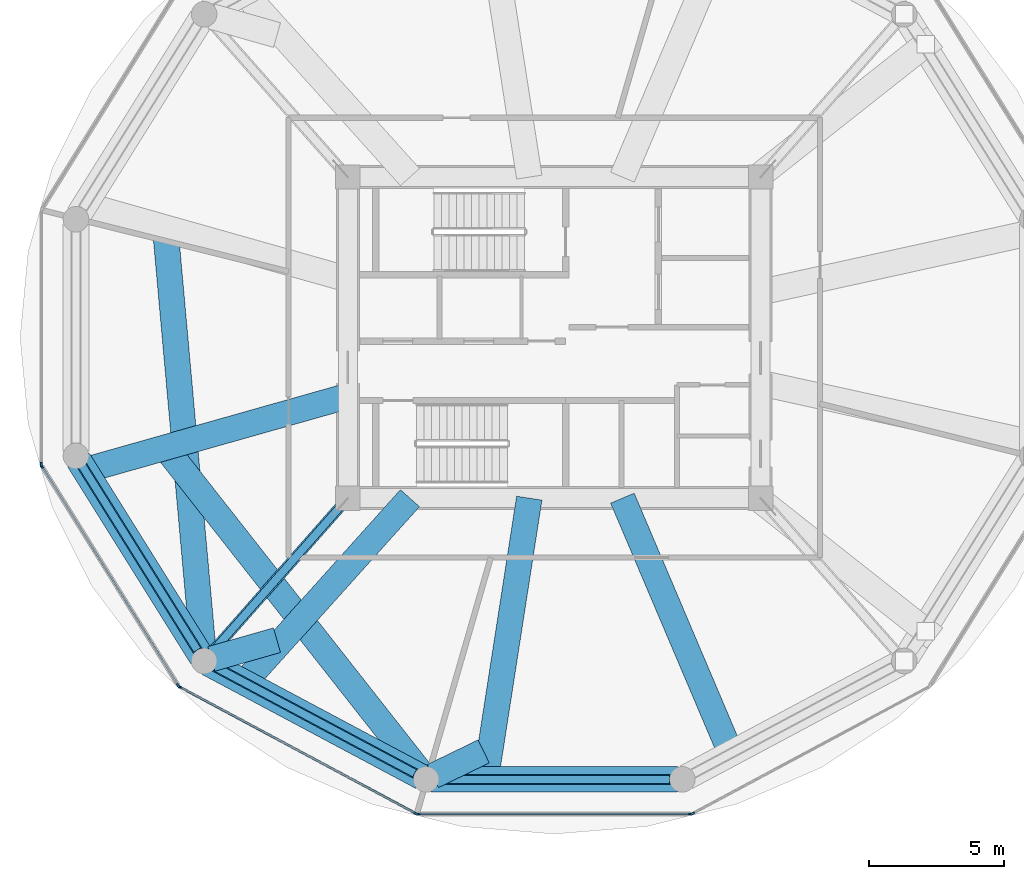
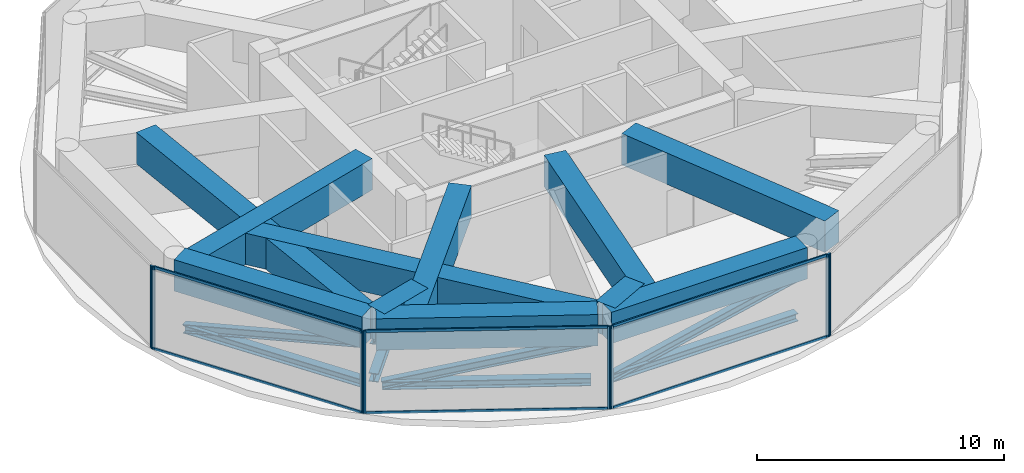
# One storey, part 2 of 22: 22 members, 11 beams, 5 elements without a shape of their own.
"""IFC4 building model written with IfcOpenShell, lengths in metres."""

from ifc_helpers import new_model, si_unit, direction, frame, origin, origin_2d, place, context, subcontext, project, spatial, rectangle, i_section, extrude, source, transform, mapped, material, layer, layer_set, material_profile, profile_set, type_object, type_shapes, element, aggregate, save


model = new_model("IFC4")

# Units and contexts
model_context = context("Model", 3, precision=1e-05, world=origin(), true_north=direction((0.0, 1.0)))
body_context = subcontext(model_context, "Body", "Model", "MODEL_VIEW")
ifc_project = project(units=[si_unit("LENGTHUNIT", "METRE"), si_unit("AREAUNIT", "SQUARE_METRE"), si_unit("VOLUMEUNIT", "CUBIC_METRE"), si_unit("PLANEANGLEUNIT", "RADIAN"), si_unit("MASSUNIT", "GRAM", prefix="KILO")], contexts=[model_context])

# Site, building, storey
site_placement = place(None, origin())
site = spatial("IfcSite", under=ifc_project, at=site_placement, CompositionType="ELEMENT")
building_placement = place(site_placement, origin())
building = spatial("IfcBuilding", under=site, at=building_placement, Name="Norrkilde Senior Care Towers", CompositionType="ELEMENT")
storey_placement = place(building_placement, frame((0.0, 0.0, 73.449951171875)))
storey = spatial("IfcBuildingStorey", under=building, at=storey_placement, Name="L22", CompositionType="ELEMENT", Elevation=73.449951171875)

# Beams
ifc_material_1 = material(Name="Concrete C60/75", Category="concrete")
ifc_material_profile_1 = material_profile(ifc_material_1, rectangle(XDim=0.949951171875, YDim=1.550048828125, at=origin_2d()), Name="RC TG 950x1550")
ifc_profile_set_1 = profile_set([ifc_material_profile_1], Name="Concrete C60/75")
beam_type = type_object("IfcBeamType", Name="Transfer Girder Zone Shift 950x1550", PredefinedType="USERDEFINED", material=ifc_profile_set_1)
shared_shape_1 = source(origin(), body_context, "Body", "SweptSolid", [
    extrude(rectangle(XDim=0.949951171875, YDim=1.550048828125, at=origin_2d()), origin(), (0.0, 0.0, 1.0), 8.6005859375),
])
beam_1_placement = place(storey_placement, frame((-45.62939453125, -4.53955078125, 3.304931640625), z_axis=(0.53002700696, -0.847980761511, 0.0), x_axis=(0.847980761511, 0.53002700696, 0.0)))
element("IfcBeam", 1, at=beam_1_placement, inside=storey, type_object=beam_type, Name="L22 Drum W Zone Ring Transfer Girder 07", ObjectType="GIRDER", PredefinedType="USERDEFINED", context=body_context, shape_type="MappedRepresentation", body=[
    mapped(shared_shape_1, transform((0.0, 0.0, 0.0), x_axis=(1.0, 0.0, 0.0), y_axis=(0.0, 1.0, 0.0), z_axis=(0.0, 0.0, 1.0), scale=1.0)),
])
shared_shape_2 = source(origin(), body_context, "Body", "SweptSolid", [
    extrude(rectangle(XDim=0.949951171875, YDim=1.550048828125, at=origin_2d()), origin(), (0.0, 0.0, 1.0), 8.962890625),
])
beam_2_placement = place(storey_placement, frame((-40.816650390625, -12.070068359375, 3.304931640625), z_axis=(0.882355957252, -0.470582580109, 0.0), x_axis=(0.470582580109, 0.882355957252, 0.0)))
element("IfcBeam", 2, at=beam_2_placement, inside=storey, type_object=beam_type, Name="L22 Drum W Zone Ring Transfer Girder 08", ObjectType="GIRDER", PredefinedType="USERDEFINED", context=body_context, shape_type="MappedRepresentation", body=[
    mapped(shared_shape_2, transform((0.0, 0.0, 0.0), x_axis=(1.0, 0.0, 0.0), y_axis=(0.0, 1.0, 0.0), z_axis=(0.0, 0.0, 1.0), scale=1.0)),
])
shared_shape_3 = source(origin(), body_context, "Body", "SweptSolid", [
    extrude(rectangle(XDim=0.949951171875, YDim=1.550048828125, at=origin_2d()), origin(), (0.0, 0.0, 1.0), 9.138671875),
])
beam_3_placement = place(storey_placement, frame((-32.5693359375, -16.37255859375, 3.304931640625), z_axis=(1.0, 0.0, 0.0), x_axis=(0.0, 1.0, 0.0)))
element("IfcBeam", 3, at=beam_3_placement, inside=storey, type_object=beam_type, Name="L22 Drum W Zone Ring Transfer Girder 09", ObjectType="GIRDER", PredefinedType="USERDEFINED", context=body_context, shape_type="MappedRepresentation", body=[
    mapped(shared_shape_3, transform((0.0, 0.0, 0.0), x_axis=(1.0, 0.0, 0.0), y_axis=(0.0, 1.0, 0.0), z_axis=(0.0, 0.0, 1.0), scale=1.0)),
])
shared_shape_4 = source(origin(), body_context, "Body", "SweptSolid", [
    extrude(rectangle(XDim=0.949951171875, YDim=1.550048828125, at=origin_2d()), origin(), (0.0, 0.0, 1.0), 10.281982421875),
])
beam_4_placement = place(storey_placement, frame((-25.472412109375, -5.949951171875, 3.304931640625), z_axis=(0.391002869326, -0.920389458968, 0.0), x_axis=(0.920389458968, 0.391002869326, 0.0)))
element("IfcBeam", 4, at=beam_4_placement, inside=storey, type_object=beam_type, Name="L22 Drum W Zone Transfer Girder 10", ObjectType="GIRDER", PredefinedType="USERDEFINED", context=body_context, shape_type="MappedRepresentation", body=[
    mapped(shared_shape_4, transform((0.0, 0.0, 0.0), x_axis=(1.0, 0.0, 0.0), y_axis=(0.0, 1.0, 0.0), z_axis=(0.0, 0.0, 1.0), scale=1.0)),
])
shared_shape_5 = source(origin(), body_context, "Body", "SweptSolid", [
    extrude(rectangle(XDim=0.949951171875, YDim=1.550048828125, at=origin_2d()), origin(), (0.0, 0.0, 1.0), 10.547607421875),
])
beam_5_placement = place(storey_placement, frame((-28.924072265625, -5.949951171875, 3.304931640625), z_axis=(-0.153485022833, -0.988150974176, 0.0), x_axis=(0.988150974176, -0.153485022833, 0.0)))
element("IfcBeam", 5, at=beam_5_placement, inside=storey, type_object=beam_type, Name="L22 Drum W Zone Transfer Girder 09", ObjectType="GIRDER", PredefinedType="USERDEFINED", context=body_context, shape_type="MappedRepresentation", body=[
    mapped(shared_shape_5, transform((0.0, 0.0, 0.0), x_axis=(1.0, 0.0, 0.0), y_axis=(0.0, 1.0, 0.0), z_axis=(0.0, 0.0, 1.0), scale=1.0)),
])
shared_shape_6 = source(origin(), body_context, "Body", "SweptSolid", [
    extrude(rectangle(XDim=0.949951171875, YDim=1.550048828125, at=origin_2d()), origin(), (0.0, 0.0, 1.0), 2.093017578125),
])
beam_6_placement = place(storey_placement, frame((-30.61474609375, -15.335693359375, 3.304931640625), z_axis=(-0.899546137145, -0.436825762916, 0.0), x_axis=(0.436825762916, -0.899546137145, 0.0)))
element("IfcBeam", 6, at=beam_6_placement, inside=storey, type_object=beam_type, Name="L22 Drum W Zone Star Transfer Tie 09", ObjectType="GIRDER", PredefinedType="USERDEFINED", context=body_context, shape_type="MappedRepresentation", body=[
    mapped(shared_shape_6, transform((0.0, 0.0, 0.0), x_axis=(1.0, 0.0, 0.0), y_axis=(0.0, 1.0, 0.0), z_axis=(0.0, 0.0, 1.0), scale=1.0)),
])
shared_shape_7 = source(origin(), body_context, "Body", "SweptSolid", [
    extrude(rectangle(XDim=0.949951171875, YDim=1.550048828125, at=origin_2d()), origin(), (0.0, 0.0, 1.0), 9.183349609375),
])
beam_7_placement = place(storey_placement, frame((-33.345947265625, -5.949951171875, 3.304931640625), z_axis=(-0.668319684115, -0.743874182792, 0.0), x_axis=(0.743874182792, -0.668319684115, 0.0)))
element("IfcBeam", 7, at=beam_7_placement, inside=storey, type_object=beam_type, Name="L22 Drum W Zone Transfer Girder 08", ObjectType="GIRDER", PredefinedType="USERDEFINED", context=body_context, shape_type="MappedRepresentation", body=[
    mapped(shared_shape_7, transform((0.0, 0.0, 0.0), x_axis=(1.0, 0.0, 0.0), y_axis=(0.0, 1.0, 0.0), z_axis=(0.0, 0.0, 1.0), scale=1.0)),
])
shared_shape_8 = source(origin(), body_context, "Body", "SweptSolid", [
    extrude(rectangle(XDim=0.949951171875, YDim=1.550048828125, at=origin_2d()), origin(), (0.0, 0.0, 1.0), 2.528076171875),
])
beam_8_placement = place(storey_placement, frame((-38.275390625, -11.2138671875, 3.304931640625), z_axis=(-0.961520303508, -0.274733882041, 0.0), x_axis=(0.274733882041, -0.961520303508, 0.0)))
element("IfcBeam", 8, at=beam_8_placement, inside=storey, type_object=beam_type, Name="L22 Drum W Zone Star Transfer Tie 08", ObjectType="GIRDER", PredefinedType="USERDEFINED", context=body_context, shape_type="MappedRepresentation", body=[
    mapped(shared_shape_8, transform((0.0, 0.0, 0.0), x_axis=(1.0, 0.0, 0.0), y_axis=(0.0, 1.0, 0.0), z_axis=(0.0, 0.0, 1.0), scale=1.0)),
])
shared_shape_9 = source(origin(), body_context, "Body", "SweptSolid", [
    extrude(rectangle(XDim=0.949951171875, YDim=1.550048828125, at=origin_2d()), origin(), (0.0, 0.0, 1.0), 10.125244140625),
])
beam_9_placement = place(storey_placement, frame((-35.64990234375, -2.162841796875, 3.304931640625), z_axis=(-0.962288137235, -0.272032242459, 0.0), x_axis=(0.272032242459, -0.962288137235, 0.0)))
element("IfcBeam", 9, at=beam_9_placement, inside=storey, type_object=beam_type, Name="L22 Drum W Zone Transfer Girder 07", ObjectType="GIRDER", PredefinedType="USERDEFINED", context=body_context, shape_type="MappedRepresentation", body=[
    mapped(shared_shape_9, transform((0.0, 0.0, 0.0), x_axis=(1.0, 0.0, 0.0), y_axis=(0.0, 1.0, 0.0), z_axis=(0.0, 0.0, 1.0), scale=1.0)),
])
shared_shape_10 = source(origin(), body_context, "Body", "SweptSolid", [
    extrude(rectangle(XDim=0.949951171875, YDim=1.550048828125, at=origin_2d()), origin(), (0.0, 0.0, 1.0), 15.566650390625),
])
beam_10_placement = place(storey_placement, frame((-42.39404296875, 3.797607421875, 3.304931640625), z_axis=(0.089521795142, -0.995984863436, 0.0), x_axis=(0.995984863436, 0.089521795142, 0.0)))
element("IfcBeam", 10, at=beam_10_placement, inside=storey, type_object=beam_type, Name="L22 Drum W Zone Star Transfer Tie 06", ObjectType="GIRDER", PredefinedType="USERDEFINED", context=body_context, shape_type="MappedRepresentation", body=[
    mapped(shared_shape_10, transform((0.0, 0.0, 0.0), x_axis=(1.0, 0.0, 0.0), y_axis=(0.0, 1.0, 0.0), z_axis=(0.0, 0.0, 1.0), scale=1.0)),
])
shared_shape_11 = source(origin(), body_context, "Body", "SweptSolid", [
    extrude(rectangle(XDim=0.949951171875, YDim=1.550048828125, at=origin_2d()), origin(), (0.0, 0.0, 1.0), 15.082763671875),
])
type_shapes(beam_type, [shared_shape_1, shared_shape_2, shared_shape_3, shared_shape_4, shared_shape_5, shared_shape_6, shared_shape_7, shared_shape_8, shared_shape_9, shared_shape_10, shared_shape_11])
beam_11_placement = place(storey_placement, frame((-42.245849609375, -4.29638671875, 3.304931640625), z_axis=(0.618153196286, -0.786057647963, 0.0), x_axis=(0.786057647963, 0.618153196286, 0.0)))
element("IfcBeam", 11, at=beam_11_placement, inside=storey, type_object=beam_type, Name="L22 Drum W Zone Star Transfer Tie 07", ObjectType="GIRDER", PredefinedType="USERDEFINED", context=body_context, shape_type="MappedRepresentation", body=[
    mapped(shared_shape_11, transform((0.0, 0.0, 0.0), x_axis=(1.0, 0.0, 0.0), y_axis=(0.0, 1.0, 0.0), z_axis=(0.0, 0.0, 1.0), scale=1.0)),
])

# Members
ifc_material_2 = material(Name="Steel S355", Category="steel")
ifc_material_profile_2 = material_profile(ifc_material_2, i_section(OverallWidth=0.3740234375, OverallDepth=0.386962890625, WebThickness=0.01611328125, FlangeThickness=0.027099609375, FilletRadius=0.014892578125, at=origin_2d()), Name="HD 360x262")
ifc_profile_set_2 = profile_set([ifc_material_profile_2], Name="Steel S355")
member_type_1 = type_object("IfcMemberType", Name="Belt Truss Ring Chord HD360x262", PredefinedType="CHORD", material=ifc_profile_set_2)
shared_shape_12 = source(origin(), body_context, "Body", "SweptSolid", [
    extrude(i_section(OverallWidth=0.3740234375, OverallDepth=0.386962890625, WebThickness=0.01611328125, FlangeThickness=0.027099609375, FilletRadius=0.014892578125, at=origin_2d()), origin(), (0.0, 0.0, 1.0), 8.090576171875),
])
member_1_placement = place(storey_placement, frame((-45.494140625, -4.755859375, 0.550048828125), z_axis=(0.530004364821, -0.84799491347, 0.0), x_axis=(0.84799491347, 0.530004364821, 0.0)))
element("IfcMember", 12, at=member_1_placement, inside=storey, type_object=member_type_1, Name="L22 Drum W Belt Truss Bottom Chord 07", PredefinedType="CHORD", context=body_context, shape_type="MappedRepresentation", body=[
    mapped(shared_shape_12, transform((0.0, 0.0, 0.0), x_axis=(1.0, 0.0, 0.0), y_axis=(0.0, 1.0, 0.0), z_axis=(0.0, 0.0, 1.0), scale=1.0)),
])
ifc_material_profile_3 = material_profile(ifc_material_2, i_section(OverallWidth=0.300048828125, OverallDepth=0.39990234375, WebThickness=0.013427734375, FlangeThickness=0.02392578125, FilletRadius=0.027099609375, at=origin_2d()), Name="HEB 400")
ifc_profile_set_3 = profile_set([ifc_material_profile_3], Name="Steel S355")
member_type_2 = type_object("IfcMemberType", Name="Belt Truss Diagonal HEB400", PredefinedType="BRACE", material=ifc_profile_set_3)
shared_shape_13 = source(origin(), body_context, "Body", "SweptSolid", [
    extrude(i_section(OverallWidth=0.300048828125, OverallDepth=0.39990234375, WebThickness=0.013427734375, FlangeThickness=0.02392578125, FilletRadius=0.027099609375, at=origin_2d()), origin(), (0.0, 0.0, 1.0), 8.317626953125),
])
member_2_placement = place(storey_placement, frame((-45.494140625, -4.755859375, 0.550048828125), z_axis=(0.515540041994, -0.824852326355, 0.232028241401), x_axis=(0.84799491347, 0.530004364821, 0.0)))
element("IfcMember", 13, at=member_2_placement, inside=storey, type_object=member_type_2, Name="L22 Drum W Belt Truss Diagonal 07", PredefinedType="BRACE", context=body_context, shape_type="MappedRepresentation", body=[
    mapped(shared_shape_13, transform((0.0, 0.0, 0.0), x_axis=(1.0, 0.0, 0.0), y_axis=(0.0, 1.0, 0.0), z_axis=(0.0, 0.0, 1.0), scale=1.0)),
])
shared_shape_14 = source(origin(), body_context, "Body", "SweptSolid", [
    extrude(i_section(OverallWidth=0.3740234375, OverallDepth=0.386962890625, WebThickness=0.01611328125, FlangeThickness=0.027099609375, FilletRadius=0.014892578125, at=origin_2d()), origin(), (0.0, 0.0, 1.0), 8.452880859375),
])
member_3_placement = place(storey_placement, frame((-40.591552734375, -12.190185546875, 0.550048828125), z_axis=(0.882368931134, -0.470558252898, 0.0), x_axis=(0.470558252898, 0.882368931134, 0.0)))
element("IfcMember", 14, at=member_3_placement, inside=storey, type_object=member_type_1, Name="L22 Drum W Belt Truss Bottom Chord 08", PredefinedType="CHORD", context=body_context, shape_type="MappedRepresentation", body=[
    mapped(shared_shape_14, transform((0.0, 0.0, 0.0), x_axis=(1.0, 0.0, 0.0), y_axis=(0.0, 1.0, 0.0), z_axis=(0.0, 0.0, 1.0), scale=1.0)),
])
shared_shape_15 = source(origin(), body_context, "Body", "SweptSolid", [
    extrude(i_section(OverallWidth=0.300048828125, OverallDepth=0.39990234375, WebThickness=0.013427734375, FlangeThickness=0.02392578125, FilletRadius=0.027099609375, at=origin_2d()), origin(), (0.0, 0.0, 1.0), 8.67041015625),
])
member_4_placement = place(storey_placement, frame((-40.591552734375, -12.190185546875, 0.550048828125), z_axis=(0.860232119374, -0.458752919438, 0.222590340545), x_axis=(0.470558252898, 0.882368931134, 0.0)))
element("IfcMember", 15, at=member_4_placement, inside=storey, type_object=member_type_2, Name="L22 Drum W Belt Truss Diagonal 08", PredefinedType="BRACE", context=body_context, shape_type="MappedRepresentation", body=[
    mapped(shared_shape_15, transform((0.0, 0.0, 0.0), x_axis=(1.0, 0.0, 0.0), y_axis=(0.0, 1.0, 0.0), z_axis=(0.0, 0.0, 1.0), scale=1.0)),
])
shared_shape_16 = source(origin(), body_context, "Body", "SweptSolid", [
    extrude(i_section(OverallWidth=0.3740234375, OverallDepth=0.386962890625, WebThickness=0.01611328125, FlangeThickness=0.027099609375, FilletRadius=0.014892578125, at=origin_2d()), origin(), (0.0, 0.0, 1.0), 8.62841796875),
])
type_shapes(member_type_1, [shared_shape_12, shared_shape_14, shared_shape_16])
member_5_placement = place(storey_placement, frame((-32.314208984375, -16.37255859375, 0.550048828125), z_axis=(1.0, 0.0, 0.0), x_axis=(0.0, 1.0, 0.0)))
element("IfcMember", 16, at=member_5_placement, inside=storey, type_object=member_type_1, Name="L22 Drum W Belt Truss Bottom Chord 09", PredefinedType="CHORD", context=body_context, shape_type="MappedRepresentation", body=[
    mapped(shared_shape_16, transform((0.0, 0.0, 0.0), x_axis=(1.0, 0.0, 0.0), y_axis=(0.0, 1.0, 0.0), z_axis=(0.0, 0.0, 1.0), scale=1.0)),
])
shared_shape_17 = source(origin(), body_context, "Body", "SweptSolid", [
    extrude(i_section(OverallWidth=0.300048828125, OverallDepth=0.39990234375, WebThickness=0.013427734375, FlangeThickness=0.02392578125, FilletRadius=0.027099609375, at=origin_2d()), origin(), (0.0, 0.0, 1.0), 8.841552734375),
])
type_shapes(member_type_2, [shared_shape_13, shared_shape_15, shared_shape_17])
member_6_placement = place(storey_placement, frame((-32.314208984375, -16.37255859375, 0.550048828125), z_axis=(0.975886613571, 0.0, 0.218278073688), x_axis=(0.0, 1.0, 0.0)))
element("IfcMember", 17, at=member_6_placement, inside=storey, type_object=member_type_2, Name="L22 Drum W Belt Truss Diagonal 09", PredefinedType="BRACE", context=body_context, shape_type="MappedRepresentation", body=[
    mapped(shared_shape_17, transform((0.0, 0.0, 0.0), x_axis=(1.0, 0.0, 0.0), y_axis=(0.0, 1.0, 0.0), z_axis=(0.0, 0.0, 1.0), scale=1.0)),
])
ifc_material_profile_4 = material_profile(ifc_material_2, i_section(OverallWidth=0.402099609375, OverallDepth=0.419921875, WebThickness=0.02001953125, FlangeThickness=0.032958984375, FilletRadius=0.014892578125, at=origin_2d()), Name="HD 400x347")
ifc_profile_set_4 = profile_set([ifc_material_profile_4], Name="Steel S355")
member_type_3 = type_object("IfcMemberType", Name="Outrigger Truss Chord HD400x347", PredefinedType="CHORD", material=ifc_profile_set_4)
shared_shape_18 = source(origin(), body_context, "Body", "SweptSolid", [
    extrude(i_section(OverallWidth=0.402099609375, OverallDepth=0.419921875, WebThickness=0.02001953125, FlangeThickness=0.032958984375, FilletRadius=0.014892578125, at=origin_2d()), origin(), (0.0, 0.0, 1.0), 7.203857421875),
])
type_shapes(member_type_3, [shared_shape_18])
member_7_placement = place(storey_placement, frame((-35.92138671875, -6.25732421875, 0.550048828125), z_axis=(-0.661603702805, -0.74985367935, 0.0), x_axis=(0.74985367935, -0.661603702805, 0.0)))
element("IfcMember", 18, at=member_7_placement, inside=storey, type_object=member_type_3, Name="L22 Drum W Outrigger Chord 1", PredefinedType="CHORD", context=body_context, shape_type="MappedRepresentation", body=[
    mapped(shared_shape_18, transform((0.0, 0.0, 0.0), x_axis=(1.0, 0.0, 0.0), y_axis=(0.0, 1.0, 0.0), z_axis=(0.0, 0.0, 1.0), scale=1.0)),
])
ifc_material_profile_5 = material_profile(ifc_material_2, i_section(OverallWidth=0.300048828125, OverallDepth=0.5, WebThickness=0.014404296875, FlangeThickness=0.028076171875, FilletRadius=0.027099609375, at=origin_2d()), Name="HEB 500")
ifc_profile_set_5 = profile_set([ifc_material_profile_5], Name="Steel S355")
member_type_4 = type_object("IfcMemberType", Name="Outrigger Truss Diagonal HEB500", PredefinedType="BRACE", material=ifc_profile_set_5)
shared_shape_19 = source(origin(), body_context, "Body", "SweptSolid", [
    extrude(i_section(OverallWidth=0.300048828125, OverallDepth=0.5, WebThickness=0.014404296875, FlangeThickness=0.028076171875, FilletRadius=0.027099609375, at=origin_2d()), origin(), (0.0, 0.0, 1.0), 7.4580078125),
])
type_shapes(member_type_4, [shared_shape_19])
member_8_placement = place(storey_placement, frame((-35.92138671875, -6.25732421875, 0.550048828125), z_axis=(-0.639067688082, -0.724311631314, 0.258776256239), x_axis=(0.74985367935, -0.661603702805, 0.0)))
element("IfcMember", 19, at=member_8_placement, inside=storey, type_object=member_type_4, Name="L22 Drum W Outrigger Diagonal 1", PredefinedType="BRACE", context=body_context, shape_type="MappedRepresentation", body=[
    mapped(shared_shape_19, transform((0.0, 0.0, 0.0), x_axis=(1.0, 0.0, 0.0), y_axis=(0.0, 1.0, 0.0), z_axis=(0.0, 0.0, 1.0), scale=1.0)),
])

# Curtain wall, member
ifc_material_3 = material(Name="Triple Low-E Insulated Glazing", Category="glass")
ifc_layer = layer(ifc_material_3, 0.18505859375)
ifc_layer_set = layer_set([ifc_layer], Name="Triple Low-E Insulated Glazing")
curtain_wall_type = type_object("IfcCurtainWallType", Name="CW6 Zone 4 Crown Pavilion Curtain Wall", PredefinedType="NOTDEFINED", material=ifc_layer_set)
curtain_wall_1_placement = place(storey_placement, origin())
curtain_wall_1 = element("IfcCurtainWall", 20, at=curtain_wall_1_placement, inside=storey, type_object=curtain_wall_type, Name="L22 Drum W Curtain Wall 05", PredefinedType="NOTDEFINED")
ifc_material_4 = material(Name="Anodised Aluminium", Category="aluminium")
ifc_material_profile_6 = material_profile(ifc_material_4, rectangle(XDim=0.070068359375, YDim=0.169921875, at=origin_2d()), Name="ALU MULL 70x170")
ifc_profile_set_6 = profile_set([ifc_material_profile_6], Name="Anodised Aluminium")
member_type_5 = type_object("IfcMemberType", Name="Curtain Wall Mullion Heavy 70x170", PredefinedType="MULLION", material=ifc_profile_set_6)
shared_shape_20 = source(origin(), body_context, "Body", "SweptSolid", [
    extrude(rectangle(XDim=0.070068359375, YDim=0.169921875, at=origin_2d()), origin(), (0.0, 0.0, 1.0), 4.080078125),
])
type_shapes(member_type_5, [shared_shape_20])
member_9_placement = place(storey_placement, frame((-47.009521484375, -4.6962890625, 0.0), z_axis=(0.0, 0.0, 1.0), x_axis=(-1.0, 0.0, 0.0)))
member_9 = element("IfcMember", 21, at=member_9_placement, type_object=member_type_5, Name="CW-6 mullion 1", PredefinedType="MULLION", context=body_context, shape_type="MappedRepresentation", body=[
    mapped(shared_shape_20, transform((0.0, 0.0, 0.0), x_axis=(1.0, 0.0, 0.0), y_axis=(0.0, 1.0, 0.0), z_axis=(0.0, 0.0, 1.0), scale=1.0)),
])
aggregate(curtain_wall_1, [member_9])

# Curtain wall, members
curtain_wall_2_placement = place(storey_placement, origin())
curtain_wall_2 = element("IfcCurtainWall", 22, at=curtain_wall_2_placement, inside=storey, type_object=curtain_wall_type, Name="L22 Drum W Curtain Wall 06", PredefinedType="NOTDEFINED")
member_10_placement = place(storey_placement, frame((-41.934326171875, -12.896240234375, 0.0), z_axis=(0.0, 0.0, 1.0), x_axis=(-0.849305943117, -0.527900951871, 0.0)))
member_10 = element("IfcMember", 23, at=member_10_placement, type_object=member_type_5, Name="CW-6 mullion 1", PredefinedType="MULLION", context=body_context, shape_type="MappedRepresentation", body=[
    mapped(shared_shape_20, transform((0.0, 0.0, 0.0), x_axis=(1.0, 0.0, 0.0), y_axis=(0.0, 1.0, 0.0), z_axis=(0.0, 0.0, 1.0), scale=1.0)),
])
member_11_placement = place(storey_placement, frame((-46.990966796875, -4.760986328125, 0.0), z_axis=(0.0, 0.0, 1.0), x_axis=(-0.849305943117, -0.527900951871, 0.0)))
member_11 = element("IfcMember", 24, at=member_11_placement, type_object=member_type_5, Name="CW-6 mullion 2", PredefinedType="MULLION", context=body_context, shape_type="MappedRepresentation", body=[
    mapped(shared_shape_20, transform((0.0, 0.0, 0.0), x_axis=(1.0, 0.0, 0.0), y_axis=(0.0, 1.0, 0.0), z_axis=(0.0, 0.0, 1.0), scale=1.0)),
])

curtain_wall_3_placement = place(storey_placement, origin())
curtain_wall_3 = element("IfcCurtainWall", 25, at=curtain_wall_3_placement, inside=storey, type_object=curtain_wall_type, Name="L22 Drum W Curtain Wall 07", PredefinedType="NOTDEFINED")
member_12_placement = place(storey_placement, frame((-33.12451171875, -17.640625, 0.0), z_axis=(0.0, 0.0, 1.0), x_axis=(-0.472607802456, -0.881272866403, 0.0)))
member_12 = element("IfcMember", 26, at=member_12_placement, type_object=member_type_5, Name="CW-6 mullion 1", PredefinedType="MULLION", context=body_context, shape_type="MappedRepresentation", body=[
    mapped(shared_shape_20, transform((0.0, 0.0, 0.0), x_axis=(1.0, 0.0, 0.0), y_axis=(0.0, 1.0, 0.0), z_axis=(0.0, 0.0, 1.0), scale=1.0)),
])
member_13_placement = place(storey_placement, frame((-41.885009765625, -12.9423828125, 0.0), z_axis=(0.0, 0.0, 1.0), x_axis=(-0.472607802456, -0.881272866403, 0.0)))
member_13 = element("IfcMember", 27, at=member_13_placement, type_object=member_type_5, Name="CW-6 mullion 2", PredefinedType="MULLION", context=body_context, shape_type="MappedRepresentation", body=[
    mapped(shared_shape_20, transform((0.0, 0.0, 0.0), x_axis=(1.0, 0.0, 0.0), y_axis=(0.0, 1.0, 0.0), z_axis=(0.0, 0.0, 1.0), scale=1.0)),
])

curtain_wall_4_placement = place(storey_placement, origin())
curtain_wall_4 = element("IfcCurtainWall", 28, at=curtain_wall_4_placement, inside=storey, type_object=curtain_wall_type, Name="L22 Drum W Curtain Wall 08", PredefinedType="NOTDEFINED")
member_14_placement = place(storey_placement, frame((-22.94140625, -17.6572265625, 0.0), z_axis=(0.0, 0.0, 1.0), x_axis=(0.0, -1.0, 0.0)))
member_14 = element("IfcMember", 29, at=member_14_placement, type_object=member_type_5, Name="CW-6 mullion 1", PredefinedType="MULLION", context=body_context, shape_type="MappedRepresentation", body=[
    mapped(shared_shape_20, transform((0.0, 0.0, 0.0), x_axis=(1.0, 0.0, 0.0), y_axis=(0.0, 1.0, 0.0), z_axis=(0.0, 0.0, 1.0), scale=1.0)),
])
member_15_placement = place(storey_placement, frame((-33.05859375, -17.6572265625, 0.0), z_axis=(0.0, 0.0, 1.0), x_axis=(0.0, -1.0, 0.0)))
member_15 = element("IfcMember", 30, at=member_15_placement, type_object=member_type_5, Name="CW-6 mullion 2", PredefinedType="MULLION", context=body_context, shape_type="MappedRepresentation", body=[
    mapped(shared_shape_20, transform((0.0, 0.0, 0.0), x_axis=(1.0, 0.0, 0.0), y_axis=(0.0, 1.0, 0.0), z_axis=(0.0, 0.0, 1.0), scale=1.0)),
])

# Curtain wall, member
curtain_wall_5_placement = place(storey_placement, origin())
curtain_wall_5 = element("IfcCurtainWall", 31, at=curtain_wall_5_placement, inside=storey, type_object=curtain_wall_type, Name="L22 Drum W Curtain Wall 09", PredefinedType="NOTDEFINED")
member_16_placement = place(storey_placement, frame((-22.87548828125, -17.640625, 0.0), z_axis=(0.0, 0.0, 1.0), x_axis=(0.472607802456, -0.881272866403, 0.0)))
member_16 = element("IfcMember", 32, at=member_16_placement, type_object=member_type_5, Name="CW-6 mullion 2", PredefinedType="MULLION", context=body_context, shape_type="MappedRepresentation", body=[
    mapped(shared_shape_20, transform((0.0, 0.0, 0.0), x_axis=(1.0, 0.0, 0.0), y_axis=(0.0, 1.0, 0.0), z_axis=(0.0, 0.0, 1.0), scale=1.0)),
])
aggregate(curtain_wall_5, [member_16])

# Member
ifc_material_profile_7 = material_profile(ifc_material_4, rectangle(XDim=0.06494140625, YDim=0.1298828125, at=origin_2d()), Name="ALU TRAN 65x130")
ifc_profile_set_7 = profile_set([ifc_material_profile_7], Name="Anodised Aluminium")
member_type_6 = type_object("IfcMemberType", Name="Curtain Wall Transom Heavy 65x130", PredefinedType="USERDEFINED", material=ifc_profile_set_7)
shared_shape_21 = source(origin(), body_context, "Body", "SweptSolid", [
    extrude(rectangle(XDim=0.06494140625, YDim=0.1298828125, at=origin_2d()), origin(), (0.0, 0.0, 1.0), 9.508544921875),
])
member_17_placement = place(storey_placement, frame((-41.952880859375, -12.866455078125, 0.032470703125), z_axis=(-0.527897081271, 0.849308348944, 0.0), x_axis=(-0.849308348944, -0.527897081271, 0.0)))
member_17 = element("IfcMember", 33, at=member_17_placement, type_object=member_type_6, Name="CW-6 transom 1.1", ObjectType="TRANSOM", PredefinedType="USERDEFINED", context=body_context, shape_type="MappedRepresentation", body=[
    mapped(shared_shape_21, transform((0.0, 0.0, 0.0), x_axis=(1.0, 0.0, 0.0), y_axis=(0.0, 1.0, 0.0), z_axis=(0.0, 0.0, 1.0), scale=1.0)),
])

member_18_placement = place(storey_placement, frame((-41.952880859375, -12.866455078125, 4.047607421875), z_axis=(-0.527897081271, 0.849308348944, 0.0), x_axis=(-0.849308348944, -0.527897081271, 0.0)))
member_18 = element("IfcMember", 34, at=member_18_placement, type_object=member_type_6, Name="CW-6 transom 1.2", ObjectType="TRANSOM", PredefinedType="USERDEFINED", context=body_context, shape_type="MappedRepresentation", body=[
    mapped(shared_shape_21, transform((0.0, 0.0, 0.0), x_axis=(1.0, 0.0, 0.0), y_axis=(0.0, 1.0, 0.0), z_axis=(0.0, 0.0, 1.0), scale=1.0)),
])

aggregate(curtain_wall_2, [member_10, member_11, member_17, member_18])

shared_shape_22 = source(origin(), body_context, "Body", "SweptSolid", [
    extrude(rectangle(XDim=0.06494140625, YDim=0.1298828125, at=origin_2d()), origin(), (0.0, 0.0, 1.0), 9.870849609375),
])
member_19_placement = place(storey_placement, frame((-33.1552734375, -17.6240234375, 0.032470703125), z_axis=(-0.881274347161, 0.472605041272, 0.0), x_axis=(-0.472605041272, -0.881274347161, 0.0)))
member_19 = element("IfcMember", 35, at=member_19_placement, type_object=member_type_6, Name="CW-6 transom 1.1", ObjectType="TRANSOM", PredefinedType="USERDEFINED", context=body_context, shape_type="MappedRepresentation", body=[
    mapped(shared_shape_22, transform((0.0, 0.0, 0.0), x_axis=(1.0, 0.0, 0.0), y_axis=(0.0, 1.0, 0.0), z_axis=(0.0, 0.0, 1.0), scale=1.0)),
])

member_20_placement = place(storey_placement, frame((-33.1552734375, -17.6240234375, 4.047607421875), z_axis=(-0.881274347161, 0.472605041272, 0.0), x_axis=(-0.472605041272, -0.881274347161, 0.0)))
member_20 = element("IfcMember", 36, at=member_20_placement, type_object=member_type_6, Name="CW-6 transom 1.2", ObjectType="TRANSOM", PredefinedType="USERDEFINED", context=body_context, shape_type="MappedRepresentation", body=[
    mapped(shared_shape_22, transform((0.0, 0.0, 0.0), x_axis=(1.0, 0.0, 0.0), y_axis=(0.0, 1.0, 0.0), z_axis=(0.0, 0.0, 1.0), scale=1.0)),
])

aggregate(curtain_wall_3, [member_12, member_13, member_19, member_20])

shared_shape_23 = source(origin(), body_context, "Body", "SweptSolid", [
    extrude(rectangle(XDim=0.06494140625, YDim=0.1298828125, at=origin_2d()), origin(), (0.0, 0.0, 1.0), 10.046875),
])
type_shapes(member_type_6, [shared_shape_21, shared_shape_22, shared_shape_23])
member_21_placement = place(storey_placement, frame((-22.9765625, -17.6572265625, 0.032470703125), z_axis=(-1.0, 0.0, 0.0), x_axis=(0.0, -1.0, 0.0)))
member_21 = element("IfcMember", 37, at=member_21_placement, type_object=member_type_6, Name="CW-6 transom 1.1", ObjectType="TRANSOM", PredefinedType="USERDEFINED", context=body_context, shape_type="MappedRepresentation", body=[
    mapped(shared_shape_23, transform((0.0, 0.0, 0.0), x_axis=(1.0, 0.0, 0.0), y_axis=(0.0, 1.0, 0.0), z_axis=(0.0, 0.0, 1.0), scale=1.0)),
])

member_22_placement = place(storey_placement, frame((-22.9765625, -17.6572265625, 4.047607421875), z_axis=(-1.0, 0.0, 0.0), x_axis=(0.0, -1.0, 0.0)))
member_22 = element("IfcMember", 38, at=member_22_placement, type_object=member_type_6, Name="CW-6 transom 1.2", ObjectType="TRANSOM", PredefinedType="USERDEFINED", context=body_context, shape_type="MappedRepresentation", body=[
    mapped(shared_shape_23, transform((0.0, 0.0, 0.0), x_axis=(1.0, 0.0, 0.0), y_axis=(0.0, 1.0, 0.0), z_axis=(0.0, 0.0, 1.0), scale=1.0)),
])

aggregate(curtain_wall_4, [member_14, member_15, member_21, member_22])

save(model, "model.ifc")
